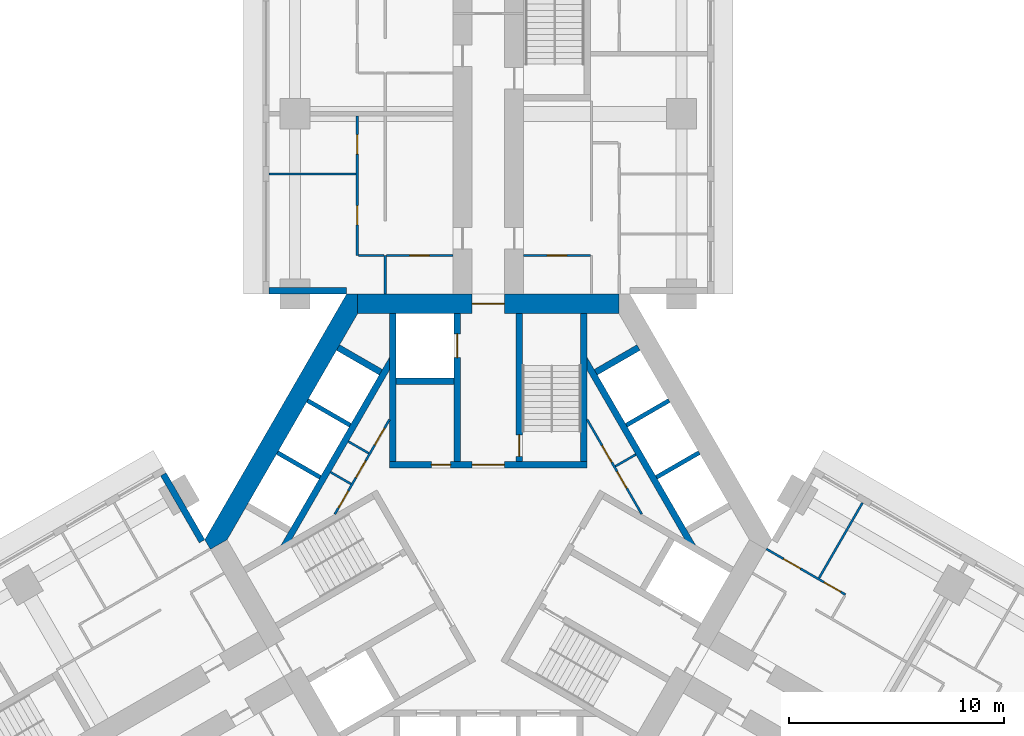
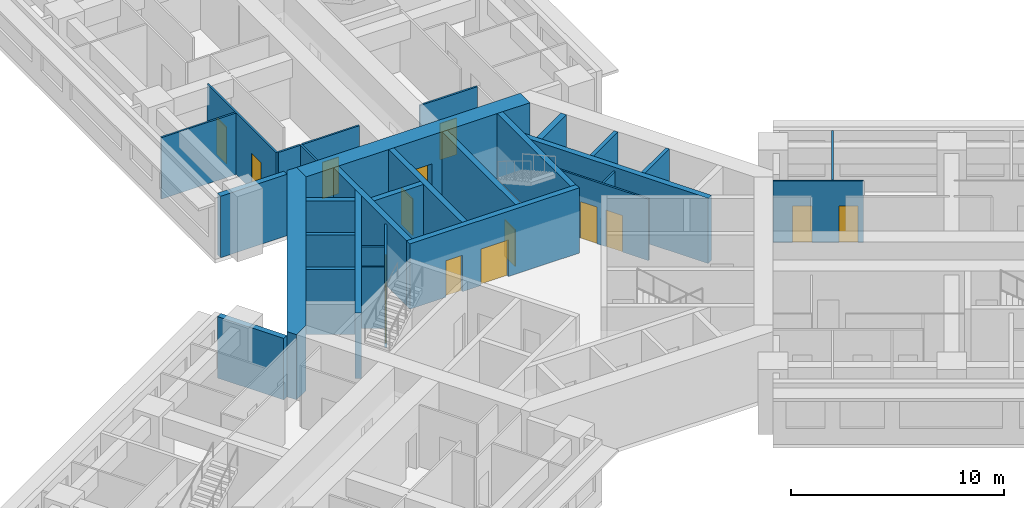
# One storey, part 8 of 16: 31 walls, 16 doors, 16 openings.
"""IFC4 building model written with IfcOpenShell, lengths in metres."""

import ifcopenshell
import ifcopenshell.guid

model = None  # the IFC model being written
_history = None  # IfcOwnerHistory: only IFC2X3 demands one
_inside = {}  # id of a spatial element -> (the spatial element, [elements in it])
_under = {}  # id of a project, library or spatial element -> (it, [spatial elements below it])
_declared = {}  # id of a project -> (the project, [libraries it declares])
_typed = {}  # id of a type object -> (the type object, [elements of that type])
_made_of = {}  # id of a material, layer set ... -> (it, [elements and type objects made of it])


def new_model(schema):
    """Start an empty IFC model of exactly this schema.

    Asked for "IFC4X3", IfcOpenShell would pick the latest addendum, in which some entities
    have other attributes; the version numbers below select the first issue.
    IFC2X3 requires an IfcOwnerHistory on every rooted entity: one is made here for all.
    """
    global model, _history
    if schema == "IFC4X3":
        model = ifcopenshell.file(schema_version=(4, 3, 0, 0))
    else:
        model = ifcopenshell.file(schema=schema)
    _inside.clear()
    _under.clear()
    _declared.clear()
    _typed.clear()
    _made_of.clear()
    _history = None
    if model.schema == "IFC2X3":
        org = make("IfcOrganization", Name="unknown")
        user = make(
            "IfcPersonAndOrganization",
            ThePerson=make("IfcPerson", FamilyName="unknown"),
            TheOrganization=org,
        )
        app = make(
            "IfcApplication",
            ApplicationDeveloper=org,
            Version="unknown",
            ApplicationFullName="unknown",
            ApplicationIdentifier="unknown",
        )
        _history = make(
            "IfcOwnerHistory",
            OwningUser=user,
            OwningApplication=app,
            ChangeAction="ADDED",
            CreationDate=0,
        )
    return model


def make(cls, **values):
    """One entity of the class cls with the attributes given. An attribute that is None is left unset."""
    return model.create_entity(
        cls, **{name: value for name, value in values.items() if value is not None}
    )


def rooted(cls, **values):
    """An entity with a GlobalId (a new one), such as an element, a storey or a relation."""
    return make(cls, GlobalId=ifcopenshell.guid.new(), OwnerHistory=_history, **values)


def si_unit(unit_type, name, prefix=None):
    """IfcSIUnit, for example si_unit("LENGTHUNIT", "METRE", prefix="MILLI")."""
    return make("IfcSIUnit", UnitType=unit_type, Prefix=prefix, Name=name)


def assignment(units):
    """IfcUnitAssignment: the units of a project."""
    return None if units is None else make("IfcUnitAssignment", Units=units)


def point(xyz):
    """IfcCartesianPoint."""
    return None if xyz is None else make("IfcCartesianPoint", Coordinates=xyz)


def direction(xyz):
    """IfcDirection."""
    return None if xyz is None else make("IfcDirection", DirectionRatios=xyz)


def frame(location, z_axis=None, x_axis=None):
    """IfcAxis2Placement3D, a coordinate frame: its origin and axes. An axis left out is left unset."""
    return make(
        "IfcAxis2Placement3D",
        Location=point(location),
        Axis=direction(z_axis),
        RefDirection=direction(x_axis),
    )


def frame_2d(location, x_axis=None):
    """IfcAxis2Placement2D, a coordinate frame in the plane: its origin and x axis."""
    return make(
        "IfcAxis2Placement2D", Location=point(location), RefDirection=direction(x_axis)
    )


def origin():
    """The frame at (0, 0, 0) with its axes left unset."""
    return frame((0.0, 0.0, 0.0))


def place(relative_to, where):
    """IfcLocalPlacement: puts the frame where relative to a parent placement (None: the world)."""
    return make(
        "IfcLocalPlacement", PlacementRelTo=relative_to, RelativePlacement=where
    )


def context(
    kind, dimensions, precision=None, world=None, true_north=None, identifier=None
):
    """IfcGeometricRepresentationContext, for example the 3D "Model" context."""
    return make(
        "IfcGeometricRepresentationContext",
        ContextIdentifier=identifier,
        ContextType=kind,
        CoordinateSpaceDimension=dimensions,
        Precision=precision,
        WorldCoordinateSystem=world,
        TrueNorth=true_north,
    )


def subcontext(parent, identifier, kind, view, scale=None):
    """IfcGeometricRepresentationSubContext, for example "Body" below "Model"."""
    return make(
        "IfcGeometricRepresentationSubContext",
        ContextIdentifier=identifier,
        ContextType=kind,
        ParentContext=parent,
        TargetScale=scale,
        TargetView=view,
    )


def project(units=None, contexts=None):
    """IfcProject with its units and contexts."""
    return rooted(
        "IfcProject",
        Name="project",
        RepresentationContexts=contexts,
        UnitsInContext=assignment(units),
    )


def spatial(cls, under=None, at=None, **own):
    """A site, building, storey or space (cls), placed at a placement, below another one or the project."""
    s = rooted(cls, ObjectPlacement=at, **own)
    if under is not None:
        _under.setdefault(under.id(), (under, []))[1].append(s)
    return s


def polyline(points):
    """IfcPolyline through the points."""
    return make("IfcPolyline", Points=[point(p) for p in points])


def profile(cls, at=None, kind="AREA", **sizes):
    """A parametric profile (cls). Its sizes go by their IFC names, for example OverallWidth=200.0."""
    return make(cls, ProfileType=kind, Position=at, **sizes)


def rectangle(**sizes):
    """IfcRectangleProfileDef."""
    return profile("IfcRectangleProfileDef", **sizes)


def outline(outer, holes=None, kind="AREA"):
    """IfcArbitraryClosedProfileDef: a profile drawn as a closed curve; with holes, ...WithVoids."""
    if holes is None:
        return make("IfcArbitraryClosedProfileDef", ProfileType=kind, OuterCurve=outer)
    return make(
        "IfcArbitraryProfileDefWithVoids",
        ProfileType=kind,
        OuterCurve=outer,
        InnerCurves=holes,
    )


def extrude(swept, where, along, depth):
    """IfcExtrudedAreaSolid: the profile swept, set in the frame where, extruded along a direction by depth."""
    return make(
        "IfcExtrudedAreaSolid",
        SweptArea=swept,
        Position=where,
        ExtrudedDirection=direction(along),
        Depth=depth,
    )


def shape(context_of_items, identifier, shape_type, items):
    """IfcShapeRepresentation: the items that make up one representation, for example the "Body"."""
    return make(
        "IfcShapeRepresentation",
        ContextOfItems=context_of_items,
        RepresentationIdentifier=identifier,
        RepresentationType=shape_type,
        Items=items,
    )


def material(Name=None, Category=None):
    """IfcMaterial."""
    return make("IfcMaterial", Name=Name, Category=Category)


def layer(
    of_material, thickness, ventilated=None, Name=None, Category=None, Priority=None
):
    """IfcMaterialLayer: one layer of a wall or slab, of a material (None: an air gap)."""
    return make(
        "IfcMaterialLayer",
        Material=of_material,
        LayerThickness=thickness,
        IsVentilated=ventilated,
        Name=Name,
        Category=Category,
        Priority=Priority,
    )


def layer_set(layers, Name=None):
    """IfcMaterialLayerSet."""
    return make("IfcMaterialLayerSet", MaterialLayers=layers, LayerSetName=Name)


def made_of(thing, what):
    """Note that an element or type object is made of a material, layer set ...; save() writes the relation."""
    if what is not None:
        _made_of.setdefault(what.id(), (what, []))[1].append(thing)
    return thing


def type_object(cls, material=None, **own):
    """A type object (cls), such as IfcWallType, which elements share."""
    return made_of(rooted(cls, **own), material)


def element(
    cls,
    number,
    at=None,
    inside=None,
    cuts=None,
    type_object=None,
    material=None,
    context=None,
    identifier="Body",
    shape_type=None,
    held_by="IfcProductDefinitionShape",
    body=None,
    shapes=None,
    **own,
):
    """One element of the class cls, such as IfcWall. Its Tag is "e" and its number.

    at: its placement. inside: the storey or other place that contains it. cuts: it is an
    opening in that element (IfcRelVoidsElement). A single representation is given by context,
    identifier, shape_type and body (its items); several are given by shapes. held_by: the class
    of the entity that holds the representations. save() writes the other relations.
    """
    e = rooted(cls, Tag="e%d" % number, ObjectPlacement=at, **own)
    if body is not None:
        shapes = [shape(context, identifier, shape_type, body)]
    if shapes is not None:
        e.Representation = make(held_by, Representations=shapes)
    if inside is not None:
        _inside.setdefault(inside.id(), (inside, []))[1].append(e)
    if cuts is not None:
        rooted(
            "IfcRelVoidsElement", RelatingBuildingElement=cuts, RelatedOpeningElement=e
        )
    if type_object is not None:
        _typed.setdefault(type_object.id(), (type_object, []))[1].append(e)
    return made_of(e, material)


def fill(opening, filler):
    """IfcRelFillsElement: the door or window that sits in an opening."""
    return rooted(
        "IfcRelFillsElement",
        RelatingOpeningElement=opening,
        RelatedBuildingElement=filler,
    )


def aggregate(whole, parts):
    """IfcRelAggregates: a whole, such as a stair, and the parts it consists of."""
    return rooted("IfcRelAggregates", RelatingObject=whole, RelatedObjects=parts)


def save(model, path):
    """Write the relations noted so far, then the file.

    IfcRelAggregates (storeys below a building ...), IfcRelContainedInSpatialStructure (elements
    in a storey), IfcRelDefinesByType, IfcRelAssociatesMaterial and IfcRelDeclares: one each for
    every whole, place, type object, material and project.
    """
    for whole, parts in _under.values():
        aggregate(whole, parts)
    for where, things in _inside.values():
        rooted(
            "IfcRelContainedInSpatialStructure",
            RelatedElements=things,
            RelatingStructure=where,
        )
    for kind, things in _typed.values():
        rooted("IfcRelDefinesByType", RelatedObjects=things, RelatingType=kind)
    for what, things in _made_of.values():
        rooted("IfcRelAssociatesMaterial", RelatedObjects=things, RelatingMaterial=what)
    for by, libraries in _declared.values():
        rooted("IfcRelDeclares", RelatingContext=by, RelatedDefinitions=libraries)
    model.write(path)


model = new_model("IFC4")

# Units and contexts
model_context = context("Model", 3, precision=1e-05, world=origin(), true_north=direction((0.0, 1.0)))
body_context = subcontext(model_context, "Body", "Model", "MODEL_VIEW")
ifc_project = project(units=[si_unit("LENGTHUNIT", "METRE"), si_unit("AREAUNIT", "SQUARE_METRE"), si_unit("VOLUMEUNIT", "CUBIC_METRE"), si_unit("PLANEANGLEUNIT", "RADIAN"), si_unit("MASSUNIT", "GRAM", prefix="KILO")], contexts=[model_context])

# Site, building, storey
site_placement = place(None, origin())
site = spatial("IfcSite", under=ifc_project, at=site_placement, CompositionType="ELEMENT")
building_placement = place(site_placement, origin())
building = spatial("IfcBuilding", under=site, at=building_placement, Name="Impinga Residences", CompositionType="ELEMENT")
storey_placement = place(building_placement, frame((0.0, 0.0, 71.0)))
storey = spatial("IfcBuildingStorey", under=building, at=storey_placement, Name="L17", CompositionType="ELEMENT", Elevation=71.0)

# Wall, openings, doors
ifc_material_1 = material(Name="Concrete blockwork", Category="masonry")
ifc_layer_1 = layer(ifc_material_1, 0.10009765625)
ifc_layer_set_1 = layer_set([ifc_layer_1], Name="CP1 core room partition, blockwork 100")
wall_type_1 = type_object("IfcWallType", Name="CP1 core room partition, blockwork 100", PredefinedType="PARTITIONING", material=ifc_layer_set_1)
wall_1_placement = place(storey_placement, frame((4.60009765625, 5.595703125, 0.0), z_axis=(0.0, 0.0, 1.0), x_axis=(0.499975622669, -0.866039477586, 0.0)))
wall_1 = element("IfcWall", 1, at=wall_1_placement, inside=storey, type_object=wall_type_1, Name="Core room partition, blockwork L17:CORE:mid:FP", PredefinedType="PARTITIONING", context=body_context, shape_type="SweptSolid", body=[
    extrude(rectangle(XDim=5.092041015625, YDim=0.10009765625, at=frame_2d((2.5458984375, 0.0))), origin(), (0.0, 0.0, 1.0), 3.530029296875),
])
opening_1_placement = place(wall_1_placement, frame((1.39599609375, 0.0, 0.0)))
opening_1 = element("IfcOpeningElement", 2, at=opening_1_placement, cuts=wall_1, Name="Opening D6", PredefinedType="OPENING", context=body_context, shape_type="SweptSolid", body=[
    extrude(rectangle(XDim=0.89990234375, YDim=2.10009765625, at=frame_2d((0.449951171875, 1.050048828125))), frame((0.0, 0.06005859375, 0.0), z_axis=(0.0, -1.0, 0.0), x_axis=(1.0, 0.0, 0.0)), (0.0, 0.0, 1.0), 0.1201171875),
])
opening_2_placement = place(wall_1_placement, frame((2.7958984375, 0.0, 0.0)))
opening_2 = element("IfcOpeningElement", 3, at=opening_2_placement, cuts=wall_1, Name="Opening D6", PredefinedType="OPENING", context=body_context, shape_type="SweptSolid", body=[
    extrude(rectangle(XDim=0.89990234375, YDim=2.10009765625, at=frame_2d((0.449951171875, 1.050048828125))), frame((0.0, 0.06005859375, 0.0), z_axis=(0.0, -1.0, 0.0), x_axis=(1.0, 0.0, 0.0)), (0.0, 0.0, 1.0), 0.1201171875),
])
ifc_material_2 = material(Name="Timber door set", Category="wood")
door_type_1 = type_object("IfcDoorType", Name="D6 riser and store door 900x2100", OperationType="SINGLE_SWING_LEFT", PredefinedType="DOOR", material=ifc_material_2)
door_1_placement = place(opening_1_placement, origin())
door_1 = element("IfcDoor", 4, at=door_1_placement, inside=storey, type_object=door_type_1, Name="Housekeeping store door", OperationType="SINGLE_SWING_LEFT", OverallHeight=2.10009765625, OverallWidth=0.89990234375, PredefinedType="DOOR", context=body_context, shape_type="SweptSolid", body=[
    extrude(rectangle(XDim=0.89990234375, YDim=2.10009765625, at=frame_2d((0.449951171875, 1.050048828125))), frame((0.0, 0.02490234375, 0.0), z_axis=(0.0, -1.0, 0.0), x_axis=(1.0, 0.0, 0.0)), (0.0, 0.0, 1.0), 0.050048828125),
])
fill(opening_1, door_1)
door_2_placement = place(opening_2_placement, origin())
door_2 = element("IfcDoor", 5, at=door_2_placement, inside=storey, type_object=door_type_1, Name="Linen store door", OperationType="SINGLE_SWING_RIGHT", OverallHeight=2.10009765625, OverallWidth=0.89990234375, PredefinedType="DOOR", context=body_context, shape_type="SweptSolid", body=[
    extrude(rectangle(XDim=0.89990234375, YDim=2.10009765625, at=frame_2d((0.449951171875, 1.050048828125))), frame((0.0, 0.02490234375, 0.0), z_axis=(0.0, -1.0, 0.0), x_axis=(1.0, 0.0, 0.0)), (0.0, 0.0, 1.0), 0.050048828125),
])
fill(opening_2, door_2)

# Wall
wall_2_placement = place(storey_placement, frame((5.916259765625, 3.415771484375, 0.0), z_axis=(0.0, 0.0, 1.0), x_axis=(0.866008176907, 0.50002983664, 0.0)))
element("IfcWall", 6, at=wall_2_placement, inside=storey, type_object=wall_type_1, Name="Core room partition, blockwork L17:CORE:mid:FS", PredefinedType="PARTITIONING", context=body_context, shape_type="SweptSolid", body=[
    extrude(rectangle(XDim=1.10009765625, YDim=0.10009765625, at=frame_2d((0.550048828125, 0.0))), origin(), (0.0, 0.0, 1.0), 3.530029296875),
])

# Wall, openings, doors
wall_3_placement = place(storey_placement, frame((-7.14599609375, 1.185791015625, 0.0), z_axis=(0.0, 0.0, 1.0), x_axis=(0.499975622669, 0.866039477586, 0.0)))
wall_3 = element("IfcWall", 7, at=wall_3_placement, inside=storey, type_object=wall_type_1, Name="Core room partition, blockwork L17:CORE:high:FP", PredefinedType="PARTITIONING", context=body_context, shape_type="SweptSolid", body=[
    extrude(rectangle(XDim=5.092041015625, YDim=0.10009765625, at=frame_2d((2.5458984375, 0.0))), origin(), (0.0, 0.0, 1.0), 3.530029296875),
])
opening_3_placement = place(wall_3_placement, frame((0.347900390625, 0.0, 0.0)))
opening_3 = element("IfcOpeningElement", 8, at=opening_3_placement, cuts=wall_3, Name="Opening D6", PredefinedType="OPENING", context=body_context, shape_type="SweptSolid", body=[
    extrude(rectangle(XDim=0.89990234375, YDim=2.10009765625, at=frame_2d((0.449951171875, 1.050048828125))), frame((0.0, 0.06005859375, 0.0), z_axis=(0.0, -1.0, 0.0), x_axis=(1.0, 0.0, 0.0)), (0.0, 0.0, 1.0), 0.1201171875),
])
opening_4_placement = place(wall_3_placement, frame((1.970947265625, 0.0, 0.0)))
opening_4 = element("IfcOpeningElement", 9, at=opening_4_placement, cuts=wall_3, Name="Opening D6", PredefinedType="OPENING", context=body_context, shape_type="SweptSolid", body=[
    extrude(rectangle(XDim=0.89990234375, YDim=2.10009765625, at=frame_2d((0.449951171875, 1.050048828125))), frame((0.0, 0.06005859375, 0.0), z_axis=(0.0, -1.0, 0.0), x_axis=(1.0, 0.0, 0.0)), (0.0, 0.0, 1.0), 0.1201171875),
])
opening_5_placement = place(wall_3_placement, frame((3.718994140625, 0.0, 0.0)))
opening_5 = element("IfcOpeningElement", 10, at=opening_5_placement, cuts=wall_3, Name="Opening D6", PredefinedType="OPENING", context=body_context, shape_type="SweptSolid", body=[
    extrude(rectangle(XDim=0.89990234375, YDim=2.10009765625, at=frame_2d((0.449951171875, 1.050048828125))), frame((0.0, 0.06005859375, 0.0), z_axis=(0.0, -1.0, 0.0), x_axis=(1.0, 0.0, 0.0)), (0.0, 0.0, 1.0), 0.1201171875),
])
door_3_placement = place(opening_3_placement, origin())
door_3 = element("IfcDoor", 11, at=door_3_placement, inside=storey, type_object=door_type_1, Name="Cleaners' store door", OperationType="SINGLE_SWING_LEFT", OverallHeight=2.10009765625, OverallWidth=0.89990234375, PredefinedType="DOOR", context=body_context, shape_type="SweptSolid", body=[
    extrude(rectangle(XDim=0.89990234375, YDim=2.10009765625, at=frame_2d((0.449951171875, 1.050048828125))), frame((0.0, 0.02490234375, 0.0), z_axis=(0.0, -1.0, 0.0), x_axis=(1.0, 0.0, 0.0)), (0.0, 0.0, 1.0), 0.050048828125),
])
fill(opening_3, door_3)
door_4_placement = place(opening_4_placement, origin())
door_4 = element("IfcDoor", 12, at=door_4_placement, inside=storey, type_object=door_type_1, Name="Parcel store door", OperationType="SINGLE_SWING_LEFT", OverallHeight=2.10009765625, OverallWidth=0.89990234375, PredefinedType="DOOR", context=body_context, shape_type="SweptSolid", body=[
    extrude(rectangle(XDim=0.89990234375, YDim=2.10009765625, at=frame_2d((0.449951171875, 1.050048828125))), frame((0.0, 0.02490234375, 0.0), z_axis=(0.0, -1.0, 0.0), x_axis=(1.0, 0.0, 0.0)), (0.0, 0.0, 1.0), 0.050048828125),
])
fill(opening_4, door_4)
door_5_placement = place(opening_5_placement, origin())
door_5 = element("IfcDoor", 13, at=door_5_placement, inside=storey, type_object=door_type_1, Name="Comms cupboard door", OperationType="SINGLE_SWING_RIGHT", OverallHeight=2.10009765625, OverallWidth=0.89990234375, PredefinedType="DOOR", context=body_context, shape_type="SweptSolid", body=[
    extrude(rectangle(XDim=0.89990234375, YDim=2.10009765625, at=frame_2d((0.449951171875, 1.050048828125))), frame((0.0, 0.02490234375, 0.0), z_axis=(0.0, -1.0, 0.0), x_axis=(1.0, 0.0, 0.0)), (0.0, 0.0, 1.0), 0.050048828125),
])
fill(opening_5, door_5)

# Walls
for number, where, z_axis, x_axis, name in (
    (14, (-6.391357421875, 2.593017578125, 0.0), (0.0, 0.0, 1.0), (-0.866008176907, 0.50002983664, 0.0), "Core room partition, blockwork L17:CORE:high:FS1"),
    (15, (-5.566162109375, 4.02197265625, 0.0), (0.0, 0.0, 1.0), (-0.866008176907, 0.50002983664, 0.0), "Core room partition, blockwork L17:CORE:high:FS2"),
):
    element("IfcWall", number, at=place(storey_placement, frame(where, z_axis=z_axis, x_axis=x_axis)), inside=storey, type_object=wall_type_1, Name=name, PredefinedType="PARTITIONING", context=body_context, shape_type="SweptSolid", body=[
        extrude(rectangle(XDim=1.10009765625, YDim=0.10009765625, at=frame_2d((0.550048828125, 0.0))), origin(), (0.0, 0.0, 1.0), 3.530029296875),
    ])
ifc_material_3 = material(Name="Terracotta rainscreen on blockwork", Category="masonry")
ifc_layer_2 = layer(ifc_material_3, 0.300048828125)
ifc_layer_set_2 = layer_set([ifc_layer_2], Name="EW1 external wall, terracotta rainscreen on blockwork 300")
wall_type_2 = type_object("IfcWallType", Name="EW1 external wall, terracotta rainscreen on blockwork 300", PredefinedType="SOLIDWALL", material=ifc_layer_set_2)
wall_4_placement = place(storey_placement, frame((-15.1298828125, 3.042724609375, 0.0), z_axis=(0.0, 0.0, 1.0), x_axis=(0.500012057535, -0.866018442252, 0.0)))
element("IfcWall", 16, at=wall_4_placement, inside=storey, type_object=wall_type_2, Name="External wall EW1 L17", PredefinedType="SOLIDWALL", context=body_context, shape_type="SweptSolid", body=[
    extrude(rectangle(XDim=3.60009765625, YDim=0.300048828125, at=frame_2d((1.800048828125, 0.0))), origin(), (0.0, 0.0, 1.0), 3.530029296875),
])
wall_5_placement = place(storey_placement, frame((-6.60009765625, 11.58154296875, 0.0), z_axis=(0.0, 0.0, 1.0), x_axis=(-1.0, 0.0, 0.0)))
element("IfcWall", 17, at=wall_5_placement, inside=storey, type_object=wall_type_2, Name="External wall EW1 L17", PredefinedType="SOLIDWALL", context=body_context, shape_type="SweptSolid", body=[
    extrude(rectangle(XDim=3.599853515625, YDim=0.300048828125, at=frame_2d((1.7998046875, 0.0))), origin(), (0.0, 0.0, 1.0), 3.530029296875),
])
ifc_material_4 = material(Name="Gypsum board on steel studs", Category="steel")
ifc_layer_3 = layer(ifc_material_4, 0.10009765625)
ifc_layer_set_3 = layer_set([ifc_layer_3], Name="Gypsum board on steel studs")
wall_type_3 = type_object("IfcWallType", Name="IP1 partition 100", PredefinedType="PARTITIONING", material=ifc_layer_set_3)
wall_6_placement = place(storey_placement, frame((-4.800048828125, 11.431640625, 0.0), z_axis=(0.0, 0.0, 1.0), x_axis=(0.0, 1.0, 0.0)))
element("IfcWall", 18, at=wall_6_placement, inside=storey, type_object=wall_type_3, Name="Partition L17-NA1:DIV0", PredefinedType="PARTITIONING", context=body_context, shape_type="SweptSolid", body=[
    extrude(rectangle(XDim=1.7998046875, YDim=0.10009765625, at=frame_2d((0.89990234375, 0.0))), origin(), (0.0, 0.0, 1.0), 3.530029296875),
])

# Wall, openings, doors
wall_7_placement = place(storey_placement, frame((-6.10009765625, 13.2314453125, 0.0), z_axis=(0.0, 0.0, 1.0), x_axis=(0.0, 1.0, 0.0)))
wall_7 = element("IfcWall", 19, at=wall_7_placement, inside=storey, type_object=wall_type_3, Name="Partition L17-NA1:STRIP", PredefinedType="PARTITIONING", context=body_context, shape_type="SweptSolid", body=[
    extrude(rectangle(XDim=6.5, YDim=0.10009765625, at=frame_2d((3.25, 0.0))), origin(), (0.0, 0.0, 1.0), 3.530029296875),
])
opening_6_placement = place(wall_7_placement, frame((1.425048828125, 0.0, 0.0)))
opening_6 = element("IfcOpeningElement", 20, at=opening_6_placement, cuts=wall_7, Name="Opening D2", PredefinedType="OPENING", context=body_context, shape_type="SweptSolid", body=[
    extrude(rectangle(XDim=0.89990234375, YDim=2.10009765625, at=frame_2d((0.449951171875, 1.050048828125))), frame((0.0, 0.06005859375, 0.0), z_axis=(0.0, -1.0, 0.0), x_axis=(1.0, 0.0, 0.0)), (0.0, 0.0, 1.0), 0.1201171875),
])
opening_7_placement = place(wall_7_placement, frame((4.72509765625, 0.0, 0.0)))
opening_7 = element("IfcOpeningElement", 21, at=opening_7_placement, cuts=wall_7, Name="Opening D2", PredefinedType="OPENING", context=body_context, shape_type="SweptSolid", body=[
    extrude(rectangle(XDim=0.89990234375, YDim=2.10009765625, at=frame_2d((0.449951171875, 1.050048828125))), frame((0.0, 0.06005859375, 0.0), z_axis=(0.0, -1.0, 0.0), x_axis=(1.0, 0.0, 0.0)), (0.0, 0.0, 1.0), 0.1201171875),
])
door_type_2 = type_object("IfcDoorType", Name="D2 internal door 900x2100", OperationType="SINGLE_SWING_LEFT", PredefinedType="DOOR", material=ifc_material_2)
door_6_placement = place(opening_6_placement, origin())
door_6 = element("IfcDoor", 22, at=door_6_placement, inside=storey, type_object=door_type_2, Name="Apartment L17-NA1 room door", OperationType="SINGLE_SWING_LEFT", OverallHeight=2.10009765625, OverallWidth=0.89990234375, PredefinedType="DOOR", context=body_context, shape_type="SweptSolid", body=[
    extrude(rectangle(XDim=0.89990234375, YDim=2.10009765625, at=frame_2d((0.449951171875, 1.050048828125))), frame((0.0, 0.02490234375, 0.0), z_axis=(0.0, -1.0, 0.0), x_axis=(1.0, 0.0, 0.0)), (0.0, 0.0, 1.0), 0.050048828125),
])
fill(opening_6, door_6)
door_7_placement = place(opening_7_placement, origin())
door_7 = element("IfcDoor", 23, at=door_7_placement, inside=storey, type_object=door_type_2, Name="Apartment L17-NA1 room door", OperationType="SINGLE_SWING_RIGHT", OverallHeight=2.10009765625, OverallWidth=0.89990234375, PredefinedType="DOOR", context=body_context, shape_type="SweptSolid", body=[
    extrude(rectangle(XDim=0.89990234375, YDim=2.10009765625, at=frame_2d((0.449951171875, 1.050048828125))), frame((0.0, 0.02490234375, 0.0), z_axis=(0.0, -1.0, 0.0), x_axis=(1.0, 0.0, 0.0)), (0.0, 0.0, 1.0), 0.050048828125),
])
fill(opening_7, door_7)

# Wall
wall_8_placement = place(storey_placement, frame((-4.85009765625, 13.2314453125, 0.0), z_axis=(0.0, 0.0, 1.0), x_axis=(-1.0, 0.0, 0.0)))
element("IfcWall", 24, at=wall_8_placement, inside=storey, type_object=wall_type_3, Name="Partition L17-NA1:SE0", PredefinedType="PARTITIONING", context=body_context, shape_type="SweptSolid", body=[
    extrude(rectangle(XDim=1.199951171875, YDim=0.10009765625, at=frame_2d((0.60009765625, 0.0))), origin(), (0.0, 0.0, 1.0), 3.530029296875),
])

# Wall, opening, door
wall_9_placement = place(storey_placement, frame((-1.64990234375, 13.2314453125, 0.0), z_axis=(0.0, 0.0, 1.0), x_axis=(-1.0, 0.0, 0.0)))
wall_9 = element("IfcWall", 25, at=wall_9_placement, inside=storey, type_object=wall_type_3, Name="Partition L17-NA1:IB1", PredefinedType="PARTITIONING", context=body_context, shape_type="SweptSolid", body=[
    extrude(rectangle(XDim=3.10009765625, YDim=0.10009765625, at=frame_2d((1.550048828125, 0.0))), origin(), (0.0, 0.0, 1.0), 3.530029296875),
])
opening_8_placement = place(wall_9_placement, frame((1.10009765625, 0.0, 0.0)))
opening_8 = element("IfcOpeningElement", 26, at=opening_8_placement, cuts=wall_9, Name="Opening D2", PredefinedType="OPENING", context=body_context, shape_type="SweptSolid", body=[
    extrude(rectangle(XDim=0.89990234375, YDim=2.10009765625, at=frame_2d((0.449951171875, 1.050048828125))), frame((0.0, 0.06005859375, 0.0), z_axis=(0.0, -1.0, 0.0), x_axis=(1.0, 0.0, 0.0)), (0.0, 0.0, 1.0), 0.1201171875),
])
door_8_placement = place(opening_8_placement, origin())
door_8 = element("IfcDoor", 27, at=door_8_placement, inside=storey, type_object=door_type_2, Name="Apartment L17-NA1 bathroom door", OperationType="SINGLE_SWING_LEFT", OverallHeight=2.10009765625, OverallWidth=0.89990234375, PredefinedType="DOOR", context=body_context, shape_type="SweptSolid", body=[
    extrude(rectangle(XDim=0.89990234375, YDim=2.10009765625, at=frame_2d((0.449951171875, 1.050048828125))), frame((0.0, 0.02490234375, 0.0), z_axis=(0.0, -1.0, 0.0), x_axis=(1.0, 0.0, 0.0)), (0.0, 0.0, 1.0), 0.050048828125),
])
fill(opening_8, door_8)

# Wall
wall_10_placement = place(storey_placement, frame((-6.14990234375, 17.031494140625, 0.0), z_axis=(0.0, 0.0, 1.0), x_axis=(-1.0, 0.0, 0.0)))
element("IfcWall", 28, at=wall_10_placement, inside=storey, type_object=wall_type_3, Name="Partition L17-NA1:OB1", PredefinedType="PARTITIONING", context=body_context, shape_type="SweptSolid", body=[
    extrude(rectangle(XDim=4.050048828125, YDim=0.10009765625, at=frame_2d((2.02490234375, 0.0))), origin(), (0.0, 0.0, 1.0), 3.530029296875),
])

# Wall, opening, door
wall_11_placement = place(storey_placement, frame((1.64990234375, 13.2314453125, 0.0), z_axis=(0.0, 0.0, 1.0), x_axis=(1.0, 0.0, 0.0)))
wall_11 = element("IfcWall", 29, at=wall_11_placement, inside=storey, type_object=wall_type_3, Name="Partition L17-NF1:IB1", PredefinedType="PARTITIONING", context=body_context, shape_type="SweptSolid", body=[
    extrude(rectangle(XDim=3.10009765625, YDim=0.10009765625, at=frame_2d((1.550048828125, 0.0))), origin(), (0.0, 0.0, 1.0), 3.530029296875),
])
opening_9_placement = place(wall_11_placement, frame((1.10009765625, 0.0, 0.0)))
opening_9 = element("IfcOpeningElement", 30, at=opening_9_placement, cuts=wall_11, Name="Opening D2", PredefinedType="OPENING", context=body_context, shape_type="SweptSolid", body=[
    extrude(rectangle(XDim=0.89990234375, YDim=2.10009765625, at=frame_2d((0.449951171875, 1.050048828125))), frame((0.0, 0.06005859375, 0.0), z_axis=(0.0, -1.0, 0.0), x_axis=(1.0, 0.0, 0.0)), (0.0, 0.0, 1.0), 0.1201171875),
])
door_9_placement = place(opening_9_placement, origin())
door_9 = element("IfcDoor", 31, at=door_9_placement, inside=storey, type_object=door_type_2, Name="Apartment L17-NF1 bathroom door", OperationType="SINGLE_SWING_LEFT", OverallHeight=2.10009765625, OverallWidth=0.89990234375, PredefinedType="DOOR", context=body_context, shape_type="SweptSolid", body=[
    extrude(rectangle(XDim=0.89990234375, YDim=2.10009765625, at=frame_2d((0.449951171875, 1.050048828125))), frame((0.0, 0.02490234375, 0.0), z_axis=(0.0, -1.0, 0.0), x_axis=(1.0, 0.0, 0.0)), (0.0, 0.0, 1.0), 0.050048828125),
])
fill(opening_9, door_9)

# Wall, openings, doors
wall_12_placement = place(storey_placement, frame((12.949951171875, -0.43310546875, 0.0), z_axis=(0.0, 0.0, 1.0), x_axis=(0.866028703517, -0.499994284652, 0.0)))
wall_12 = element("IfcWall", 32, at=wall_12_placement, inside=storey, type_object=wall_type_3, Name="Partition L17-EA1:STRIP", PredefinedType="PARTITIONING", context=body_context, shape_type="SweptSolid", body=[
    extrude(rectangle(XDim=4.25, YDim=0.10009765625, at=frame_2d((2.125, 0.0))), origin(), (0.0, 0.0, 1.0), 3.530029296875),
])
opening_10_placement = place(wall_12_placement, frame((0.925048828125, 0.0, 0.0)))
opening_10 = element("IfcOpeningElement", 33, at=opening_10_placement, cuts=wall_12, Name="Opening D2", PredefinedType="OPENING", context=body_context, shape_type="SweptSolid", body=[
    extrude(rectangle(XDim=0.89990234375, YDim=2.10009765625, at=frame_2d((0.449951171875, 1.050048828125))), frame((0.0, 0.06005859375, 0.0), z_axis=(0.0, -1.0, 0.0), x_axis=(1.0, 0.0, 0.0)), (0.0, 0.0, 1.0), 0.1201171875),
])
opening_11_placement = place(wall_12_placement, frame((3.10009765625, 0.0, 0.0)))
opening_11 = element("IfcOpeningElement", 34, at=opening_11_placement, cuts=wall_12, Name="Opening D2", PredefinedType="OPENING", context=body_context, shape_type="SweptSolid", body=[
    extrude(rectangle(XDim=0.89990234375, YDim=2.10009765625, at=frame_2d((0.449951171875, 1.050048828125))), frame((0.0, 0.06005859375, 0.0), z_axis=(0.0, -1.0, 0.0), x_axis=(1.0, 0.0, 0.0)), (0.0, 0.0, 1.0), 0.1201171875),
])
door_10_placement = place(opening_10_placement, origin())
door_10 = element("IfcDoor", 35, at=door_10_placement, inside=storey, type_object=door_type_2, Name="Apartment L17-EA1 room door", OperationType="SINGLE_SWING_LEFT", OverallHeight=2.10009765625, OverallWidth=0.89990234375, PredefinedType="DOOR", context=body_context, shape_type="SweptSolid", body=[
    extrude(rectangle(XDim=0.89990234375, YDim=2.10009765625, at=frame_2d((0.449951171875, 1.050048828125))), frame((0.0, 0.02490234375, 0.0), z_axis=(0.0, -1.0, 0.0), x_axis=(1.0, 0.0, 0.0)), (0.0, 0.0, 1.0), 0.050048828125),
])
fill(opening_10, door_10)
door_11_placement = place(opening_11_placement, origin())
door_11 = element("IfcDoor", 36, at=door_11_placement, inside=storey, type_object=door_type_2, Name="Apartment L17-EA1 room door", OperationType="SINGLE_SWING_RIGHT", OverallHeight=2.10009765625, OverallWidth=0.89990234375, PredefinedType="DOOR", context=body_context, shape_type="SweptSolid", body=[
    extrude(rectangle(XDim=0.89990234375, YDim=2.10009765625, at=frame_2d((0.449951171875, 1.050048828125))), frame((0.0, 0.02490234375, 0.0), z_axis=(0.0, -1.0, 0.0), x_axis=(1.0, 0.0, 0.0)), (0.0, 0.0, 1.0), 0.050048828125),
])
fill(opening_11, door_11)

# Wall
wall_13_placement = place(storey_placement, frame((15.39990234375, -1.789794921875, 0.0), z_axis=(0.0, 0.0, 1.0), x_axis=(0.499964223975, 0.866046058097, 0.0)))
element("IfcWall", 37, at=wall_13_placement, inside=storey, type_object=wall_type_3, Name="Partition L17-EA1:OB1", PredefinedType="PARTITIONING", context=body_context, shape_type="SweptSolid", body=[
    extrude(rectangle(XDim=4.050048828125, YDim=0.10009765625, at=frame_2d((2.02490234375, 0.0))), origin(), (0.0, 0.0, 1.0), 3.530029296875),
])

# Wall, opening, door
ifc_material_5 = material(Name="Concrete C70/85", Category="concrete")
ifc_layer_4 = layer(ifc_material_5, 0.89990234375)
ifc_layer_set_4 = layer_set([ifc_layer_4], Name="Concrete C70/85")
wall_type_4 = type_object("IfcWallType", Name="SW1 core wall 900", PredefinedType="SHEAR", material=ifc_layer_set_4)
wall_14_placement = place(storey_placement, frame((-6.080322265625, 10.9814453125, 0.0), z_axis=(0.0, 0.0, 1.0), x_axis=(1.0, 0.0, 0.0)))
wall_14 = element("IfcWall", 38, at=wall_14_placement, inside=storey, type_object=wall_type_4, Name="Core wall SW1 N:FACE L17", PredefinedType="SHEAR", context=body_context, shape_type="SweptSolid", body=[
    extrude(rectangle(XDim=12.16064453125, YDim=0.89990234375, at=frame_2d((6.080322265625, 0.0))), origin(), (0.0, 0.0, 1.0), 3.75),
])
opening_12_placement = place(wall_14_placement, frame((5.330322265625, 0.0, 0.0)))
opening_12 = element("IfcOpeningElement", 39, at=opening_12_placement, cuts=wall_14, Name="Opening D4", PredefinedType="OPENING", context=body_context, shape_type="SweptSolid", body=[
    extrude(rectangle(XDim=1.5, YDim=2.10009765625, at=frame_2d((0.75, 1.050048828125))), frame((0.0, 0.4599609375, 0.0), z_axis=(0.0, -1.0, 0.0), x_axis=(1.0, 0.0, 0.0)), (0.0, 0.0, 1.0), 0.919921875),
])
door_type_3 = type_object("IfcDoorType", Name="D4 lobby door pair 1500x2100", OperationType="DOUBLE_DOOR_DOUBLE_SWING", PredefinedType="DOOR", material=ifc_material_2)
door_12_placement = place(opening_12_placement, origin())
door_12 = element("IfcDoor", 40, at=door_12_placement, inside=storey, type_object=door_type_3, Name="Lobby door N", OperationType="DOUBLE_DOOR_DOUBLE_SWING", OverallHeight=2.10009765625, OverallWidth=1.5, PredefinedType="DOOR", context=body_context, shape_type="SweptSolid", body=[
    extrude(rectangle(XDim=1.5, YDim=2.10009765625, at=frame_2d((0.75, 1.050048828125))), frame((0.0, 0.02490234375, 0.0), z_axis=(0.0, -1.0, 0.0), x_axis=(1.0, 0.0, 0.0)), (0.0, 0.0, 1.0), 0.050048828125),
])
fill(opening_12, door_12)

# Wall
wall_15_placement = place(storey_placement, origin())
element("IfcWall", 41, at=wall_15_placement, inside=storey, type_object=wall_type_4, Name="Core wall SW1 E:EXPOSED L17", PredefinedType="SHEAR", context=body_context, shape_type="SweptSolid", body=[
    extrude(outline(polyline([(-6.60009765625, 11.431640625), (-13.199951171875, 0.0), (-12.940185546875, -0.449951171875), (-12.160888671875, 0.0), (-6.080322265625, 10.531494140625), (-6.080322265625, 11.431640625), (-6.60009765625, 11.431640625)])), origin(), (0.0, 0.0, 1.0), 3.75),
])

# Wall, openings, doors
ifc_layer_5 = layer(ifc_material_5, 0.300048828125)
ifc_layer_set_5 = layer_set([ifc_layer_5], Name="Concrete C70/85")
wall_type_5 = type_object("IfcWallType", Name="SW5 core inner wall, stairs, shafts and lobbies 300", PredefinedType="SHEAR", material=ifc_layer_set_5)
wall_16_placement = place(storey_placement, frame((-4.60009765625, 3.47998046875, 0.0), z_axis=(0.0, 0.0, 1.0), x_axis=(1.0, 0.0, 0.0)))
wall_16 = element("IfcWall", 42, at=wall_16_placement, inside=storey, type_object=wall_type_5, Name="Core wall SW5 N:ZONE L17", PredefinedType="SHEAR", context=body_context, shape_type="SweptSolid", body=[
    extrude(rectangle(XDim=9.2001953125, YDim=0.300048828125, at=frame_2d((4.60009765625, 0.0))), origin(), (0.0, 0.0, 1.0), 3.75),
])
opening_13_placement = place(wall_16_placement, frame((3.85009765625, 0.0, 0.0)))
opening_13 = element("IfcOpeningElement", 43, at=opening_13_placement, cuts=wall_16, Name="Opening D4", PredefinedType="OPENING", context=body_context, shape_type="SweptSolid", body=[
    extrude(rectangle(XDim=1.5, YDim=2.10009765625, at=frame_2d((0.75, 1.050048828125))), frame((0.0, 0.159912109375, 0.0), z_axis=(0.0, -1.0, 0.0), x_axis=(1.0, 0.0, 0.0)), (0.0, 0.0, 1.0), 0.320068359375),
])
opening_14_placement = place(wall_16_placement, frame((1.949951171875, 0.0, 0.0)))
opening_14 = element("IfcOpeningElement", 44, at=opening_14_placement, cuts=wall_16, Name="Opening D6", PredefinedType="OPENING", context=body_context, shape_type="SweptSolid", body=[
    extrude(rectangle(XDim=0.89990234375, YDim=2.10009765625, at=frame_2d((0.449951171875, 1.050048828125))), frame((0.0, 0.159912109375, 0.0), z_axis=(0.0, -1.0, 0.0), x_axis=(1.0, 0.0, 0.0)), (0.0, 0.0, 1.0), 0.320068359375),
])
door_13_placement = place(opening_13_placement, origin())
door_13 = element("IfcDoor", 45, at=door_13_placement, inside=storey, type_object=door_type_3, Name="Firefighting lobby door N", OperationType="DOUBLE_DOOR_DOUBLE_SWING", OverallHeight=2.10009765625, OverallWidth=1.5, PredefinedType="DOOR", context=body_context, shape_type="SweptSolid", body=[
    extrude(rectangle(XDim=1.5, YDim=2.10009765625, at=frame_2d((0.75, 1.050048828125))), frame((0.0, 0.02490234375, 0.0), z_axis=(0.0, -1.0, 0.0), x_axis=(1.0, 0.0, 0.0)), (0.0, 0.0, 1.0), 0.050048828125),
])
fill(opening_13, door_13)
door_14_placement = place(opening_14_placement, origin())
door_14 = element("IfcDoor", 46, at=door_14_placement, inside=storey, type_object=door_type_1, Name="Riser door N", OperationType="SINGLE_SWING_LEFT", OverallHeight=2.10009765625, OverallWidth=0.89990234375, PredefinedType="DOOR", context=body_context, shape_type="SweptSolid", body=[
    extrude(rectangle(XDim=0.89990234375, YDim=2.10009765625, at=frame_2d((0.449951171875, 1.050048828125))), frame((0.0, 0.02490234375, 0.0), z_axis=(0.0, -1.0, 0.0), x_axis=(1.0, 0.0, 0.0)), (0.0, 0.0, 1.0), 0.050048828125),
])
fill(opening_14, door_14)

# Wall, opening, door
wall_17_placement = place(storey_placement, frame((1.449951171875, 3.6298828125, 0.0), z_axis=(0.0, 0.0, 1.0), x_axis=(0.0, 1.0, 0.0)))
wall_17 = element("IfcWall", 47, at=wall_17_placement, inside=storey, type_object=wall_type_5, Name="Core wall SW5 N:ST-IN L17", PredefinedType="SHEAR", context=body_context, shape_type="SweptSolid", body=[
    extrude(rectangle(XDim=6.901611328125, YDim=0.300048828125, at=frame_2d((3.45068359375, 0.0))), origin(), (0.0, 0.0, 1.0), 3.75),
])
opening_15_placement = place(wall_17_placement, frame((0.25, 0.0, 0.0)))
opening_15 = element("IfcOpeningElement", 48, at=opening_15_placement, cuts=wall_17, Name="Opening D5", PredefinedType="OPENING", context=body_context, shape_type="SweptSolid", body=[
    extrude(rectangle(XDim=1.0, YDim=2.10009765625, at=frame_2d((0.5, 1.050048828125))), frame((0.0, 0.159912109375, 0.0), z_axis=(0.0, -1.0, 0.0), x_axis=(1.0, 0.0, 0.0)), (0.0, 0.0, 1.0), 0.320068359375),
])
door_type_4 = type_object("IfcDoorType", Name="D5 stair door 1000x2100", OperationType="SINGLE_SWING_LEFT", PredefinedType="DOOR", material=ifc_material_2)
door_15_placement = place(opening_15_placement, origin())
door_15 = element("IfcDoor", 49, at=door_15_placement, inside=storey, type_object=door_type_4, Name="Stair door N", OperationType="SINGLE_SWING_LEFT", OverallHeight=2.10009765625, OverallWidth=1.0, PredefinedType="DOOR", context=body_context, shape_type="SweptSolid", body=[
    extrude(rectangle(XDim=1.0, YDim=2.10009765625, at=frame_2d((0.5, 1.050048828125))), frame((0.0, 0.02490234375, 0.0), z_axis=(0.0, -1.0, 0.0), x_axis=(1.0, 0.0, 0.0)), (0.0, 0.0, 1.0), 0.050048828125),
])
fill(opening_15, door_15)

# Wall
wall_18_placement = place(storey_placement, frame((4.449951171875, 3.6298828125, 0.0), z_axis=(0.0, 0.0, 1.0), x_axis=(0.0, 1.0, 0.0)))
element("IfcWall", 50, at=wall_18_placement, inside=storey, type_object=wall_type_5, Name="Core wall SW5 N:ST-OUT L17", PredefinedType="SHEAR", context=body_context, shape_type="SweptSolid", body=[
    extrude(rectangle(XDim=6.901611328125, YDim=0.300048828125, at=frame_2d((3.45068359375, 0.0))), origin(), (0.0, 0.0, 1.0), 3.75),
])

# Wall, opening, door
wall_19_placement = place(storey_placement, frame((-1.449951171875, 3.6298828125, 0.0), z_axis=(0.0, 0.0, 1.0), x_axis=(0.0, 1.0, 0.0)))
wall_19 = element("IfcWall", 51, at=wall_19_placement, inside=storey, type_object=wall_type_5, Name="Core wall SW5 N:FF-IN L17", PredefinedType="SHEAR", context=body_context, shape_type="SweptSolid", body=[
    extrude(rectangle(XDim=6.901611328125, YDim=0.300048828125, at=frame_2d((3.45068359375, 0.0))), origin(), (0.0, 0.0, 1.0), 3.75),
])
opening_16_placement = place(wall_19_placement, frame((4.85009765625, 0.0, 0.0)))
opening_16 = element("IfcOpeningElement", 52, at=opening_16_placement, cuts=wall_19, Name="Opening LD2", PredefinedType="OPENING", context=body_context, shape_type="SweptSolid", body=[
    extrude(rectangle(XDim=1.10009765625, YDim=2.10009765625, at=frame_2d((0.550048828125, 1.050048828125))), frame((0.0, 0.159912109375, 0.0), z_axis=(0.0, -1.0, 0.0), x_axis=(1.0, 0.0, 0.0)), (0.0, 0.0, 1.0), 0.320068359375),
])
ifc_material_6 = material(Name="Steel lift landing door", Category="steel")
door_type_5 = type_object("IfcDoorType", Name="LD2 firefighting lift landing door 1100x2100", OperationType="DOUBLE_DOOR_SLIDING", PredefinedType="DOOR", material=ifc_material_6)
door_16_placement = place(opening_16_placement, origin())
door_16 = element("IfcDoor", 53, at=door_16_placement, inside=storey, type_object=door_type_5, Name="Firefighting lift landing door F1", OperationType="DOUBLE_DOOR_SLIDING", OverallHeight=2.10009765625, OverallWidth=1.10009765625, PredefinedType="DOOR", context=body_context, shape_type="SweptSolid", body=[
    extrude(rectangle(XDim=1.10009765625, YDim=2.10009765625, at=frame_2d((0.550048828125, 1.050048828125))), frame((0.0, 0.02490234375, 0.0), z_axis=(0.0, -1.0, 0.0), x_axis=(1.0, 0.0, 0.0)), (0.0, 0.0, 1.0), 0.050048828125),
])
fill(opening_16, door_16)

# Walls
wall_20_placement = place(storey_placement, frame((-4.449951171875, 3.6298828125, 0.0), z_axis=(0.0, 0.0, 1.0), x_axis=(0.0, 1.0, 0.0)))
element("IfcWall", 54, at=wall_20_placement, inside=storey, type_object=wall_type_5, Name="Core wall SW5 N:FF-OUT L17", PredefinedType="SHEAR", context=body_context, shape_type="SweptSolid", body=[
    extrude(rectangle(XDim=6.901611328125, YDim=0.300048828125, at=frame_2d((3.45068359375, 0.0))), origin(), (0.0, 0.0, 1.0), 3.75),
])
wall_21_placement = place(storey_placement, frame((-4.300048828125, 7.3798828125, 0.0), z_axis=(0.0, 0.0, 1.0), x_axis=(1.0, 0.0, 0.0)))
element("IfcWall", 55, at=wall_21_placement, inside=storey, type_object=wall_type_5, Name="Core wall SW5 N:FF-RS L17", PredefinedType="SHEAR", context=body_context, shape_type="SweptSolid", body=[
    extrude(rectangle(XDim=2.699951171875, YDim=0.300048828125, at=frame_2d((1.35009765625, 0.0))), origin(), (0.0, 0.0, 1.0), 3.75),
])
wall_22_placement = place(storey_placement, frame((4.449951171875, 8.455322265625, 0.0), z_axis=(0.0, 0.0, 1.0), x_axis=(0.500002290144, -0.866024081565, 0.0)))
element("IfcWall", 56, at=wall_22_placement, inside=storey, type_object=wall_type_5, Name="Core wall SW5 W:BANK-FRONT L17", PredefinedType="SHEAR", context=body_context, shape_type="SweptSolid", body=[
    extrude(rectangle(XDim=10.1953125, YDim=0.300048828125, at=frame_2d((5.09765625, 0.0))), origin(), (0.0, 0.0, 1.0), 3.75),
])
wall_23_placement = place(storey_placement, frame((5.003662109375, 7.79638671875, 0.0), z_axis=(0.0, 0.0, 1.0), x_axis=(0.866053019151, 0.499952165731, 0.0)))
element("IfcWall", 57, at=wall_23_placement, inside=storey, type_object=wall_type_5, Name="Core wall SW5 W:BANK-L L17", PredefinedType="SHEAR", context=body_context, shape_type="SweptSolid", body=[
    extrude(rectangle(XDim=2.300048828125, YDim=0.300048828125, at=frame_2d((1.14990234375, 0.0))), origin(), (0.0, 0.0, 1.0), 3.75),
])
wall_24_placement = place(storey_placement, frame((-9.547607421875, -0.3740234375, 0.0), z_axis=(0.0, 0.0, 1.0), x_axis=(0.500002290144, 0.866024081565, 0.0)))
element("IfcWall", 58, at=wall_24_placement, inside=storey, type_object=wall_type_5, Name="Core wall SW5 E:BANK-FRONT L17", PredefinedType="SHEAR", context=body_context, shape_type="SweptSolid", body=[
    extrude(rectangle(XDim=10.1953125, YDim=0.300048828125, at=frame_2d((5.09765625, 0.0))), origin(), (0.0, 0.0, 1.0), 3.75),
])
wall_25_placement = place(storey_placement, frame((-5.003662109375, 7.79638671875, 0.0), z_axis=(0.0, 0.0, 1.0), x_axis=(-0.866053019151, 0.499952165731, 0.0)))
element("IfcWall", 59, at=wall_25_placement, inside=storey, type_object=wall_type_5, Name="Core wall SW5 E:BANK-R L17", PredefinedType="SHEAR", context=body_context, shape_type="SweptSolid", body=[
    extrude(rectangle(XDim=2.300048828125, YDim=0.300048828125, at=frame_2d((1.14990234375, 0.0))), origin(), (0.0, 0.0, 1.0), 3.75),
])
ifc_layer_6 = layer(ifc_material_5, 0.199951171875)
ifc_layer_set_6 = layer_set([ifc_layer_6], Name="Concrete C70/85")
wall_type_6 = type_object("IfcWallType", Name="SW6 lift shaft divider wall 200", PredefinedType="SHEAR", material=ifc_layer_set_6)
for number, where, z_axis, x_axis, name in (
    (60, (6.4287109375, 5.328125, 0.0), (0.0, 0.0, 1.0), (0.866007057882, 0.500031774688, 0.0), "Core wall SW6 W:BANK-D1 L17"),
    (61, (7.82861328125, 2.9033203125, 0.0), (0.0, 0.0, 1.0), (0.866053019151, 0.499952165731, 0.0), "Core wall SW6 W:BANK-D2 L17"),
    (62, (-7.82861328125, 2.9033203125, 0.0), (0.0, 0.0, 1.0), (-0.866053019151, 0.499952165731, 0.0), "Core wall SW6 E:BANK-D1 L17"),
    (63, (-6.4287109375, 5.328125, 0.0), (0.0, 0.0, 1.0), (-0.866007057882, 0.500031774688, 0.0), "Core wall SW6 E:BANK-D2 L17"),
):
    element("IfcWall", number, at=place(storey_placement, frame(where, z_axis=z_axis, x_axis=x_axis)), inside=storey, type_object=wall_type_6, Name=name, PredefinedType="SHEAR", context=body_context, shape_type="SweptSolid", body=[
        extrude(rectangle(XDim=2.300048828125, YDim=0.199951171875, at=frame_2d((1.14990234375, 0.0))), origin(), (0.0, 0.0, 1.0), 3.75),
    ])

save(model, "model.ifc")
